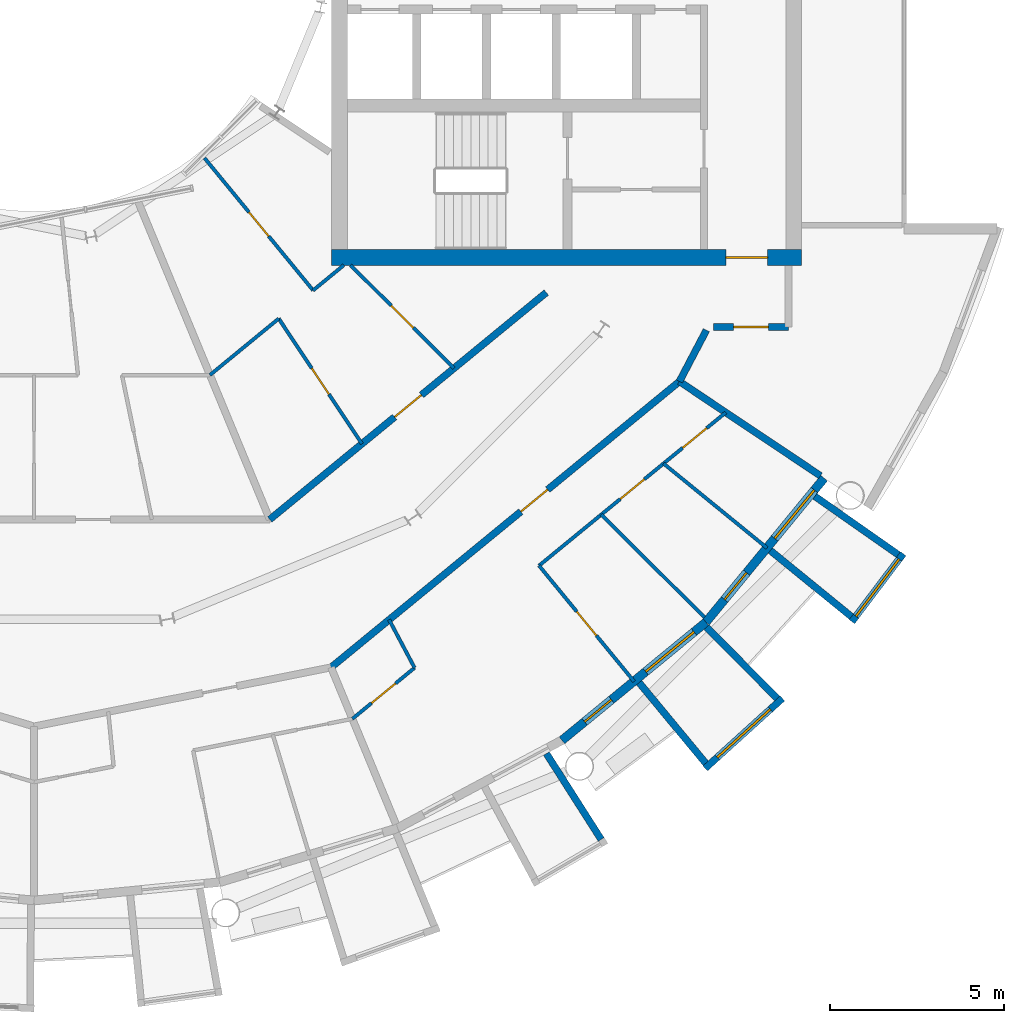
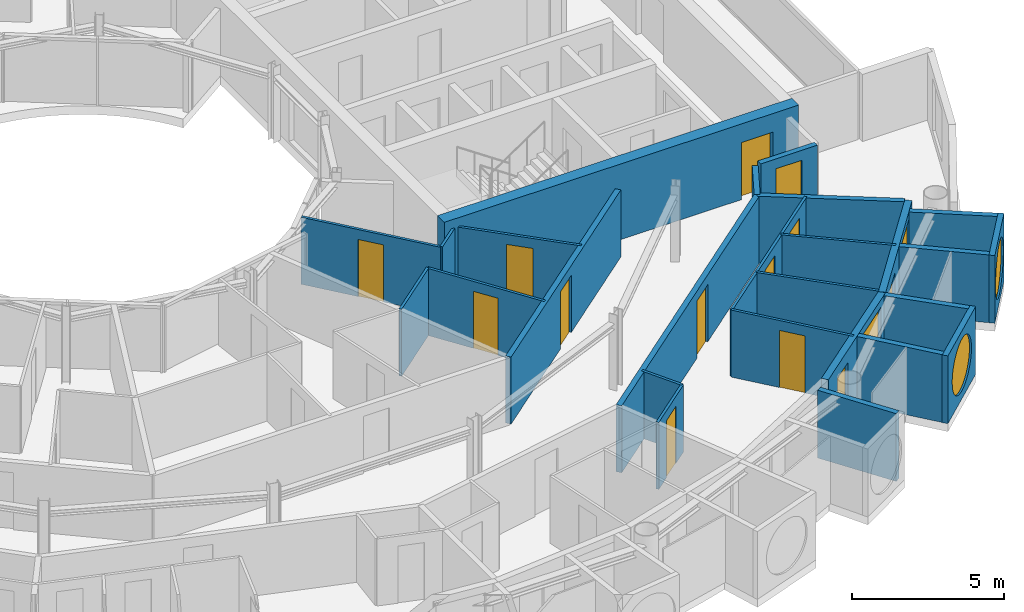
# One storey, part 18 of 28: 26 walls, 13 doors, 4 windows, 17 openings.
"""IFC4 building model written with IfcOpenShell, lengths in metres."""

from ifc_helpers import new_model, si_unit, direction, frame, frame_2d, origin, place, context, subcontext, project, spatial, rectangle, circle, extrude, material, layer, layer_set, type_object, element, fill, save


model = new_model("IFC4")

# Units and contexts
model_context = context("Model", 3, precision=1e-05, world=origin(), true_north=direction((0.0, 1.0)))
body_context = subcontext(model_context, "Body", "Model", "MODEL_VIEW")
ifc_project = project(units=[si_unit("LENGTHUNIT", "METRE"), si_unit("AREAUNIT", "SQUARE_METRE"), si_unit("VOLUMEUNIT", "CUBIC_METRE"), si_unit("PLANEANGLEUNIT", "RADIAN"), si_unit("MASSUNIT", "GRAM", prefix="KILO")], contexts=[model_context])

# Site, building, storey
site_placement = place(None, origin())
site = spatial("IfcSite", under=ifc_project, at=site_placement, CompositionType="ELEMENT")
building_placement = place(site_placement, origin())
building = spatial("IfcBuilding", under=site, at=building_placement, Name="Maasbend Ring Residences", CompositionType="ELEMENT")
storey_placement = place(building_placement, frame((0.0, 0.0, 196.300048828125)))
storey = spatial("IfcBuildingStorey", under=building, at=storey_placement, Name="L56", CompositionType="ELEMENT", Elevation=196.300048828125)

# Wall, opening, door
ifc_material_1 = material(Name="Concrete C50/60", Category="concrete")
ifc_layer_1 = layer(ifc_material_1, 0.449951171875)
ifc_layer_set_1 = layer_set([ifc_layer_1], Name="Concrete C50/60")
wall_type_1 = type_object("IfcWallType", Name="CORE WALL 450 C50/60", PredefinedType="SHEAR", material=ifc_layer_set_1)
wall_1_placement = place(storey_placement, frame((8.550048828125, -8.824951171875, 0.0), z_axis=(0.0, 0.0, 1.0), x_axis=(1.0, 0.0, 0.0)))
wall_1 = element("IfcWall", 1, at=wall_1_placement, inside=storey, type_object=wall_type_1, Name="L56 core E wall PS", PredefinedType="SHEAR", context=body_context, shape_type="SweptSolid", body=[
    extrude(rectangle(XDim=13.5, YDim=0.449951171875, at=frame_2d((6.75, 0.0))), origin(), (0.0, 0.0, 1.0), 3.050048828125),
])
opening_1_placement = place(wall_1_placement, frame((11.324951171875, 0.0, 0.0)))
opening_1 = element("IfcOpeningElement", 2, at=opening_1_placement, cuts=wall_1, Name="Opening D-E5616", PredefinedType="OPENING", context=body_context, shape_type="SweptSolid", body=[
    extrude(rectangle(XDim=1.199951171875, YDim=2.300048828125, at=frame_2d((0.60009765625, 1.14990234375))), frame((0.0, 0.23486328125, 0.0), z_axis=(0.0, -1.0, 0.0), x_axis=(1.0, 0.0, 0.0)), (0.0, 0.0, 1.0), 0.469970703125),
])
ifc_material_2 = material(Name="Steel, powder coated", Category="steel")
door_type_1 = type_object("IfcDoorType", Name="CORRIDOR DOOR 1200 X 2300 FD30S", OperationType="NOTDEFINED", PredefinedType="DOOR", material=ifc_material_2)
door_1_placement = place(opening_1_placement, origin())
door_1 = element("IfcDoor", 3, at=door_1_placement, inside=storey, type_object=door_type_1, Name="Corridor door L56", OperationType="SINGLE_SWING_LEFT", OverallHeight=2.300048828125, OverallWidth=1.199951171875, PredefinedType="DOOR", context=body_context, shape_type="SweptSolid", body=[
    extrude(rectangle(XDim=1.199951171875, YDim=2.300048828125, at=frame_2d((0.60009765625, 1.14990234375))), frame((0.0, 0.02490234375, 0.0), z_axis=(0.0, -1.0, 0.0), x_axis=(1.0, 0.0, 0.0)), (0.0, 0.0, 1.0), 0.050048828125),
])
fill(opening_1, door_1)

# Wall
ifc_material_3 = material(Name="Concrete C30/37", Category="concrete")
ifc_layer_2 = layer(ifc_material_3, 0.199951171875)
ifc_layer_set_2 = layer_set([ifc_layer_2], Name="Concrete C30/37")
wall_type_2 = type_object("IfcWallType", Name="CORRIDOR WALL 200 CONCRETE", PredefinedType="PARTITIONING", material=ifc_layer_set_2)
wall_2_placement = place(storey_placement, frame((18.5419921875, -12.388916015625, 0.0), z_axis=(0.0, 0.0, 1.0), x_axis=(0.465359652486, 0.885121683068, 0.0)))
element("IfcWall", 4, at=wall_2_placement, inside=storey, type_object=wall_type_2, Name="U-L56-w010", PredefinedType="PARTITIONING", context=body_context, shape_type="SweptSolid", body=[
    extrude(rectangle(XDim=1.665283203125, YDim=0.199951171875, at=frame_2d((0.83251953125, 0.0))), origin(), (0.0, 0.0, 1.0), 2.699951171875),
])

# Wall, opening, door
wall_3_placement = place(storey_placement, frame((8.533935546875, -20.60302734375, 0.0), z_axis=(0.0, 0.0, 1.0), x_axis=(0.772983503654, 0.634426121056, 0.0)))
wall_3 = element("IfcWall", 5, at=wall_3_placement, inside=storey, type_object=wall_type_2, Name="U-L56-w016", PredefinedType="PARTITIONING", context=body_context, shape_type="SweptSolid", body=[
    extrude(rectangle(XDim=12.947265625, YDim=0.199951171875, at=frame_2d((6.4736328125, 0.0))), origin(), (0.0, 0.0, 1.0), 2.699951171875),
])
opening_2_placement = place(wall_3_placement, frame((7.052978515625, 0.0, 0.0)))
opening_2 = element("IfcOpeningElement", 6, at=opening_2_placement, cuts=wall_3, Name="Opening D-5644", PredefinedType="OPENING", context=body_context, shape_type="SweptSolid", body=[
    extrude(rectangle(XDim=1.0, YDim=2.300048828125, at=frame_2d((0.5, 1.14990234375))), frame((0.0, 0.10986328125, 0.0), z_axis=(0.0, -1.0, 0.0), x_axis=(1.0, 0.0, 0.0)), (0.0, 0.0, 1.0), 0.219970703125),
])
ifc_material_4 = material(Name="Timber, fire-rated, painted", Category="wood")
door_type_2 = type_object("IfcDoorType", Name="FLAT ENTRANCE DOOR 1000 X 2300 FIRE-RATED", OperationType="NOTDEFINED", PredefinedType="DOOR", material=ifc_material_4)
door_2_placement = place(opening_2_placement, origin())
door_2 = element("IfcDoor", 7, at=door_2_placement, inside=storey, type_object=door_type_2, Name="D-5644", OperationType="SINGLE_SWING_RIGHT", OverallHeight=2.300048828125, OverallWidth=1.0, PredefinedType="DOOR", context=body_context, shape_type="SweptSolid", body=[
    extrude(rectangle(XDim=1.0, YDim=2.300048828125, at=frame_2d((0.5, 1.14990234375))), frame((0.0, 0.02490234375, 0.0), z_axis=(0.0, -1.0, 0.0), x_axis=(1.0, 0.0, 0.0)), (0.0, 0.0, 1.0), 0.050048828125),
])
fill(opening_2, door_2)

wall_4_placement = place(storey_placement, frame((6.77294921875, -16.35302734375, 0.0), z_axis=(0.0, 0.0, 1.0), x_axis=(0.773034536097, 0.634363938131, 0.0)))
wall_4 = element("IfcWall", 8, at=wall_4_placement, inside=storey, type_object=wall_type_2, Name="U-L56-w018", PredefinedType="PARTITIONING", context=body_context, shape_type="SweptSolid", body=[
    extrude(rectangle(XDim=10.276611328125, YDim=0.199951171875, at=frame_2d((5.13818359375, 0.0))), origin(), (0.0, 0.0, 1.0), 2.699951171875),
])
opening_3_placement = place(wall_4_placement, frame((4.637939453125, 0.0, 0.0)))
opening_3 = element("IfcOpeningElement", 9, at=opening_3_placement, cuts=wall_4, Name="Opening D-5657", PredefinedType="OPENING", context=body_context, shape_type="SweptSolid", body=[
    extrude(rectangle(XDim=1.0, YDim=2.300048828125, at=frame_2d((0.5, 1.14990234375))), frame((0.0, 0.10986328125, 0.0), z_axis=(0.0, -1.0, 0.0), x_axis=(1.0, 0.0, 0.0)), (0.0, 0.0, 1.0), 0.219970703125),
])
door_3_placement = place(opening_3_placement, origin())
door_3 = element("IfcDoor", 10, at=door_3_placement, inside=storey, type_object=door_type_2, Name="D-5657", OperationType="SINGLE_SWING_RIGHT", OverallHeight=2.300048828125, OverallWidth=1.0, PredefinedType="DOOR", context=body_context, shape_type="SweptSolid", body=[
    extrude(rectangle(XDim=1.0, YDim=2.300048828125, at=frame_2d((0.5, 1.14990234375))), frame((0.0, 0.02490234375, 0.0), z_axis=(0.0, -1.0, 0.0), x_axis=(1.0, 0.0, 0.0)), (0.0, 0.0, 1.0), 0.050048828125),
])
fill(opening_3, door_3)

wall_5_placement = place(storey_placement, frame((19.52294921875, -10.824951171875, 0.0), z_axis=(0.0, 0.0, 1.0), x_axis=(1.0, 0.0, 0.0)))
wall_5 = element("IfcWall", 11, at=wall_5_placement, inside=storey, type_object=wall_type_2, Name="U-L56-w027", PredefinedType="PARTITIONING", context=body_context, shape_type="SweptSolid", body=[
    extrude(rectangle(XDim=2.152099609375, YDim=0.199951171875, at=frame_2d((1.076171875, 0.0))), origin(), (0.0, 0.0, 1.0), 2.699951171875),
])
opening_4_placement = place(wall_5_placement, frame((0.575927734375, 0.0, 0.0)))
opening_4 = element("IfcOpeningElement", 12, at=opening_4_placement, cuts=wall_5, Name="Opening D-5663", PredefinedType="OPENING", context=body_context, shape_type="SweptSolid", body=[
    extrude(rectangle(XDim=1.0, YDim=2.300048828125, at=frame_2d((0.5, 1.14990234375))), frame((0.0, 0.10986328125, 0.0), z_axis=(0.0, -1.0, 0.0), x_axis=(1.0, 0.0, 0.0)), (0.0, 0.0, 1.0), 0.219970703125),
])
ifc_material_5 = material(Name="Timber, painted", Category="wood")
door_type_3 = type_object("IfcDoorType", Name="ROOM DOOR 1000 X 2300", OperationType="NOTDEFINED", PredefinedType="DOOR", material=ifc_material_5)
door_4_placement = place(opening_4_placement, origin())
door_4 = element("IfcDoor", 13, at=door_4_placement, inside=storey, type_object=door_type_3, Name="D-5663", OperationType="SINGLE_SWING_LEFT", OverallHeight=2.300048828125, OverallWidth=1.0, PredefinedType="DOOR", context=body_context, shape_type="SweptSolid", body=[
    extrude(rectangle(XDim=1.0, YDim=2.300048828125, at=frame_2d((0.5, 1.14990234375))), frame((0.0, 0.02490234375, 0.0), z_axis=(0.0, -1.0, 0.0), x_axis=(1.0, 0.0, 0.0)), (0.0, 0.0, 1.0), 0.050048828125),
])
fill(opening_4, door_4)

# Wall
ifc_material_6 = material(Name="Pale anodised aluminium panel", Category="aluminium")
ifc_layer_3 = layer(ifc_material_6, 0.199951171875)
ifc_layer_set_3 = layer_set([ifc_layer_3], Name="EW-BOX")
wall_type_3 = type_object("IfcWallType", Name="EW-BOX", PredefinedType="SOLIDWALL", material=ifc_layer_set_3)
wall_6_placement = place(storey_placement, frame((14.721923828125, -23.0791015625, -0.030029296875), z_axis=(0.0, 0.0, 1.0), x_axis=(0.537572179146, -0.843217737129, 0.0)))
element("IfcWall", 14, at=wall_6_placement, inside=storey, type_object=wall_type_3, Name="Box side wall S16 right", PredefinedType="SOLIDWALL", context=body_context, shape_type="SweptSolid", body=[
    extrude(rectangle(XDim=2.92431640625, YDim=0.199951171875, at=frame_2d((1.462158203125, 0.0))), origin(), (0.0, 0.0, 1.0), 2.72998046875),
])

# Wall, opening, window
wall_7_placement = place(storey_placement, frame((19.281982421875, -23.5029296875, -0.030029296875), z_axis=(0.0, 0.0, 1.0), x_axis=(0.740998365753, 0.671506829416, 0.0)))
wall_7 = element("IfcWall", 15, at=wall_7_placement, inside=storey, type_object=wall_type_3, Name="Box front S18", PredefinedType="SOLIDWALL", context=body_context, shape_type="SweptSolid", body=[
    extrude(rectangle(XDim=2.9931640625, YDim=0.199951171875, at=frame_2d((1.49658203125, 0.0))), origin(), (0.0, 0.0, 1.0), 2.72998046875),
])
opening_5_placement = place(wall_7_placement, frame((0.45654296875, 0.0, 0.330078125)))
opening_5 = element("IfcOpeningElement", 16, at=opening_5_placement, cuts=wall_7, Name="Opening W-RD", PredefinedType="OPENING", context=body_context, shape_type="SweptSolid", body=[
    extrude(circle(Radius=1.0400390625, at=frame_2d((1.0400390625, 1.0400390625))), frame((0.0, 0.10986328125, 0.0), z_axis=(0.0, -1.0, 0.0), x_axis=(1.0, 0.0, 0.0)), (0.0, 0.0, 1.0), 0.219970703125),
])
ifc_material_7 = material(Name="Aluminium and clear glass", Category="aluminium")
window_type_1 = type_object("IfcWindowType", Name="W-RD", PartitioningType="SINGLE_PANEL", PredefinedType="WINDOW", material=ifc_material_7)
window_1_placement = place(opening_5_placement, origin())
window_1 = element("IfcWindow", 17, at=window_1_placement, inside=storey, type_object=window_type_1, Name="Round window S18", OverallHeight=2.080078125, OverallWidth=2.080078125, PartitioningType="SINGLE_PANEL", PredefinedType="WINDOW", context=body_context, shape_type="SweptSolid", body=[
    extrude(circle(Radius=1.0400390625, at=frame_2d((1.0400390625, 1.0400390625))), frame((0.0, 0.030029296875, 0.0), z_axis=(0.0, -1.0, 0.0), x_axis=(1.0, 0.0, 0.0)), (0.0, 0.0, 1.0), 0.06005859375),
])
fill(opening_5, window_1)

# Walls
wall_8_placement = place(storey_placement, frame((17.384033203125, -21.041015625, -0.030029296875), z_axis=(0.0, 0.0, 1.0), x_axis=(0.63709551667, -0.770784861449, 0.0)))
element("IfcWall", 18, at=wall_8_placement, inside=storey, type_object=wall_type_3, Name="Box side wall S18 left", PredefinedType="SOLIDWALL", context=body_context, shape_type="SweptSolid", body=[
    extrude(rectangle(XDim=3.005859375, YDim=0.199951171875, at=frame_2d((1.5029296875, 0.0))), origin(), (0.0, 0.0, 1.0), 2.72998046875),
])
wall_9_placement = place(storey_placement, frame((19.322998046875, -19.449951171875, -0.030029296875), z_axis=(0.0, 0.0, 1.0), x_axis=(0.704476739375, -0.709727076896, 0.0)))
element("IfcWall", 19, at=wall_9_placement, inside=storey, type_object=wall_type_3, Name="Box side wall S18 right", PredefinedType="SOLIDWALL", context=body_context, shape_type="SweptSolid", body=[
    extrude(rectangle(XDim=2.883056640625, YDim=0.199951171875, at=frame_2d((1.44140625, 0.0))), origin(), (0.0, 0.0, 1.0), 2.72998046875),
])

# Wall, opening, window
wall_10_placement = place(storey_placement, frame((23.4970703125, -19.2890625, -0.030029296875), z_axis=(0.0, 0.0, 1.0), x_axis=(0.602806268067, 0.797887588059, 0.0)))
wall_10 = element("IfcWall", 20, at=wall_10_placement, inside=storey, type_object=wall_type_3, Name="Box front S20", PredefinedType="SOLIDWALL", context=body_context, shape_type="SweptSolid", body=[
    extrude(rectangle(XDim=2.446533203125, YDim=0.199951171875, at=frame_2d((1.22314453125, 0.0))), origin(), (0.0, 0.0, 1.0), 2.72998046875),
])
opening_6_placement = place(wall_10_placement, frame((0.182861328125, 0.0, 0.330078125)))
opening_6 = element("IfcOpeningElement", 21, at=opening_6_placement, cuts=wall_10, Name="Opening W-RD", PredefinedType="OPENING", context=body_context, shape_type="SweptSolid", body=[
    extrude(circle(Radius=1.0400390625, at=frame_2d((1.0400390625, 1.0400390625))), frame((0.0, 0.10986328125, 0.0), z_axis=(0.0, -1.0, 0.0), x_axis=(1.0, 0.0, 0.0)), (0.0, 0.0, 1.0), 0.219970703125),
])
window_2_placement = place(opening_6_placement, origin())
window_2 = element("IfcWindow", 22, at=window_2_placement, inside=storey, type_object=window_type_1, Name="Round window S20", OverallHeight=2.080078125, OverallWidth=2.080078125, PartitioningType="SINGLE_PANEL", PredefinedType="WINDOW", context=body_context, shape_type="SweptSolid", body=[
    extrude(circle(Radius=1.0400390625, at=frame_2d((1.0400390625, 1.0400390625))), frame((0.0, 0.030029296875, 0.0), z_axis=(0.0, -1.0, 0.0), x_axis=(1.0, 0.0, 0.0)), (0.0, 0.0, 1.0), 0.06005859375),
])
fill(opening_6, window_2)

# Walls
wall_11_placement = place(storey_placement, frame((21.155029296875, -17.24609375, -0.030029296875), z_axis=(0.0, 0.0, 1.0), x_axis=(0.775179004516, -0.631741648902, 0.0)))
element("IfcWall", 23, at=wall_11_placement, inside=storey, type_object=wall_type_3, Name="Box side wall S20 left", PredefinedType="SOLIDWALL", context=body_context, shape_type="SweptSolid", body=[
    extrude(rectangle(XDim=3.005859375, YDim=0.199951171875, at=frame_2d((1.5029296875, 0.0))), origin(), (0.0, 0.0, 1.0), 2.72998046875),
])
wall_12_placement = place(storey_placement, frame((22.43310546875, -15.68798828125, -0.030029296875), z_axis=(0.0, 0.0, 1.0), x_axis=(0.819373043115, -0.573260687834, 0.0)))
element("IfcWall", 24, at=wall_12_placement, inside=storey, type_object=wall_type_3, Name="Box side wall S20 right", PredefinedType="SOLIDWALL", context=body_context, shape_type="SweptSolid", body=[
    extrude(rectangle(XDim=2.92529296875, YDim=0.199951171875, at=frame_2d((1.462646484375, 0.0))), origin(), (0.0, 0.0, 1.0), 2.72998046875),
])

# Wall, openings, door, window
ifc_material_8 = material(Name="Aluminium clad insulated panel", Category="aluminium")
ifc_layer_4 = layer(ifc_material_8, 0.25)
ifc_layer_set_4 = layer_set([ifc_layer_4], Name="EW-GL")
wall_type_4 = type_object("IfcWallType", Name="EW-GL", PredefinedType="SOLIDWALL", material=ifc_layer_set_4)
wall_13_placement = place(storey_placement, frame((15.1669921875, -22.698974609375, 0.0), z_axis=(0.0, 0.0, 1.0), x_axis=(0.773019449054, 0.634382322723, 0.0)))
wall_13 = element("IfcWall", 25, at=wall_13_placement, inside=storey, type_object=wall_type_4, Name="External wall S09", PredefinedType="SOLIDWALL", context=body_context, shape_type="SweptSolid", body=[
    extrude(rectangle(XDim=5.351806640625, YDim=0.25, at=frame_2d((2.67578125, 0.0))), origin(), (0.0, 0.0, 1.0), 2.699951171875),
])
opening_7_placement = place(wall_13_placement, frame((0.841064453125, 0.0, 0.0)))
opening_7 = element("IfcOpeningElement", 26, at=opening_7_placement, cuts=wall_13, Name="Opening D-LG", PredefinedType="OPENING", context=body_context, shape_type="SweptSolid", body=[
    extrude(rectangle(XDim=1.0, YDim=2.199951171875, at=frame_2d((0.5, 1.10009765625))), frame((0.0, 0.135009765625, 0.0), z_axis=(0.0, -1.0, 0.0), x_axis=(1.0, 0.0, 0.0)), (0.0, 0.0, 1.0), 0.27001953125),
])
opening_8_placement = place(wall_13_placement, frame((3.110595703125, 0.0, 0.300048828125)))
opening_8 = element("IfcOpeningElement", 27, at=opening_8_placement, cuts=wall_13, Name="Opening W-BX", PredefinedType="OPENING", context=body_context, shape_type="SweptSolid", body=[
    extrude(rectangle(XDim=1.800048828125, YDim=2.10009765625, at=frame_2d((0.89990234375, 1.050048828125))), frame((0.0, 0.135009765625, 0.0), z_axis=(0.0, -1.0, 0.0), x_axis=(1.0, 0.0, 0.0)), (0.0, 0.0, 1.0), 0.27001953125),
])
ifc_material_9 = material(Name="Aluminium and clear glass", Category="aluminium")
door_type_4 = type_object("IfcDoorType", Name="D-LG", OperationType="SINGLE_SWING_LEFT", PredefinedType="DOOR", material=ifc_material_9)
door_5_placement = place(opening_7_placement, origin())
door_5 = element("IfcDoor", 28, at=door_5_placement, inside=storey, type_object=door_type_4, Name="Loggia door S17", OperationType="SINGLE_SWING_LEFT", OverallHeight=2.199951171875, OverallWidth=1.0, PredefinedType="DOOR", context=body_context, shape_type="SweptSolid", body=[
    extrude(rectangle(XDim=1.0, YDim=2.199951171875, at=frame_2d((0.5, 1.10009765625))), frame((0.0, 0.02490234375, 0.0), z_axis=(0.0, -1.0, 0.0), x_axis=(1.0, 0.0, 0.0)), (0.0, 0.0, 1.0), 0.050048828125),
])
fill(opening_7, door_5)
ifc_material_10 = material(Name="Aluminium and clear glass", Category="aluminium")
window_type_2 = type_object("IfcWindowType", Name="W-BX", PartitioningType="DOUBLE_PANEL_VERTICAL", PredefinedType="WINDOW", material=ifc_material_10)
window_3_placement = place(opening_8_placement, origin())
window_3 = element("IfcWindow", 29, at=window_3_placement, inside=storey, type_object=window_type_2, Name="Window S18 room to box", OverallHeight=2.10009765625, OverallWidth=1.800048828125, PartitioningType="SINGLE_PANEL", PredefinedType="WINDOW", context=body_context, shape_type="SweptSolid", body=[
    extrude(rectangle(XDim=1.800048828125, YDim=2.10009765625, at=frame_2d((0.89990234375, 1.050048828125))), frame((0.0, 0.030029296875, 0.0), z_axis=(0.0, -1.0, 0.0), x_axis=(1.0, 0.0, 0.0)), (0.0, 0.0, 1.0), 0.06005859375),
])
fill(opening_8, window_3)

wall_14_placement = place(storey_placement, frame((19.303955078125, -19.303955078125, 0.0), z_axis=(0.0, 0.0, 1.0), x_axis=(0.634382322723, 0.773019449054, 0.0)))
wall_14 = element("IfcWall", 30, at=wall_14_placement, inside=storey, type_object=wall_type_4, Name="External wall S10", PredefinedType="SOLIDWALL", context=body_context, shape_type="SweptSolid", body=[
    extrude(rectangle(XDim=5.351806640625, YDim=0.25, at=frame_2d((2.67578125, 0.0))), origin(), (0.0, 0.0, 1.0), 2.699951171875),
])
opening_9_placement = place(wall_14_placement, frame((0.841064453125, 0.0, 0.0)))
opening_9 = element("IfcOpeningElement", 31, at=opening_9_placement, cuts=wall_14, Name="Opening D-LG", PredefinedType="OPENING", context=body_context, shape_type="SweptSolid", body=[
    extrude(rectangle(XDim=1.0, YDim=2.199951171875, at=frame_2d((0.5, 1.10009765625))), frame((0.0, 0.135009765625, 0.0), z_axis=(0.0, -1.0, 0.0), x_axis=(1.0, 0.0, 0.0)), (0.0, 0.0, 1.0), 0.27001953125),
])
opening_10_placement = place(wall_14_placement, frame((3.110595703125, 0.0, 0.300048828125)))
opening_10 = element("IfcOpeningElement", 32, at=opening_10_placement, cuts=wall_14, Name="Opening W-BX", PredefinedType="OPENING", context=body_context, shape_type="SweptSolid", body=[
    extrude(rectangle(XDim=1.800048828125, YDim=2.10009765625, at=frame_2d((0.89990234375, 1.050048828125))), frame((0.0, 0.135009765625, 0.0), z_axis=(0.0, -1.0, 0.0), x_axis=(1.0, 0.0, 0.0)), (0.0, 0.0, 1.0), 0.27001953125),
])
door_6_placement = place(opening_9_placement, origin())
door_6 = element("IfcDoor", 33, at=door_6_placement, inside=storey, type_object=door_type_4, Name="Loggia door S19", OperationType="SINGLE_SWING_LEFT", OverallHeight=2.199951171875, OverallWidth=1.0, PredefinedType="DOOR", context=body_context, shape_type="SweptSolid", body=[
    extrude(rectangle(XDim=1.0, YDim=2.199951171875, at=frame_2d((0.5, 1.10009765625))), frame((0.0, 0.02490234375, 0.0), z_axis=(0.0, -1.0, 0.0), x_axis=(1.0, 0.0, 0.0)), (0.0, 0.0, 1.0), 0.050048828125),
])
fill(opening_9, door_6)
window_4_placement = place(opening_10_placement, origin())
window_4 = element("IfcWindow", 34, at=window_4_placement, inside=storey, type_object=window_type_2, Name="Window S20 room to box", OverallHeight=2.10009765625, OverallWidth=1.800048828125, PartitioningType="SINGLE_PANEL", PredefinedType="WINDOW", context=body_context, shape_type="SweptSolid", body=[
    extrude(rectangle(XDim=1.800048828125, YDim=2.10009765625, at=frame_2d((0.89990234375, 1.050048828125))), frame((0.0, 0.030029296875, 0.0), z_axis=(0.0, -1.0, 0.0), x_axis=(1.0, 0.0, 0.0)), (0.0, 0.0, 1.0), 0.06005859375),
])
fill(opening_10, window_4)

# Wall, opening, door
ifc_material_11 = material(Name="Gypsum board on steel studs", Category="steel")
ifc_layer_5 = layer(ifc_material_11, 0.10009765625)
ifc_layer_set_5 = layer_set([ifc_layer_5], Name="PARTITION 100 GYPSUM")
wall_type_5 = type_object("IfcWallType", Name="PARTITION 100 GYPSUM", PredefinedType="PARTITIONING", material=ifc_layer_set_5)
wall_15_placement = place(storey_placement, frame((9.14599609375, -22.0810546875, 0.0), z_axis=(0.0, 0.0, 1.0), x_axis=(0.773095932958, 0.634289112663, 0.0)))
wall_15 = element("IfcWall", 35, at=wall_15_placement, inside=storey, type_object=wall_type_5, Name="U-L56-w007", PredefinedType="PARTITIONING", context=body_context, shape_type="SweptSolid", body=[
    extrude(rectangle(XDim=2.31298828125, YDim=0.10009765625, at=frame_2d((1.156494140625, 0.0))), origin(), (0.0, 0.0, 1.0), 2.699951171875),
])
opening_11_placement = place(wall_15_placement, frame((0.7060546875, 0.0, 0.0)))
opening_11 = element("IfcOpeningElement", 36, at=opening_11_placement, cuts=wall_15, Name="Opening D-5645", PredefinedType="OPENING", context=body_context, shape_type="SweptSolid", body=[
    extrude(rectangle(XDim=0.89990234375, YDim=2.300048828125, at=frame_2d((0.449951171875, 1.14990234375))), frame((0.0, 0.06005859375, 0.0), z_axis=(0.0, -1.0, 0.0), x_axis=(1.0, 0.0, 0.0)), (0.0, 0.0, 1.0), 0.1201171875),
])
ifc_material_12 = material(Name="Timber, painted", Category="wood")
door_type_5 = type_object("IfcDoorType", Name="INTERNAL DOOR 900 X 2300", OperationType="NOTDEFINED", PredefinedType="DOOR", material=ifc_material_12)
door_7_placement = place(opening_11_placement, origin())
door_7 = element("IfcDoor", 37, at=door_7_placement, inside=storey, type_object=door_type_5, Name="D-5645", OperationType="SINGLE_SWING_LEFT", OverallHeight=2.300048828125, OverallWidth=0.89990234375, PredefinedType="DOOR", context=body_context, shape_type="SweptSolid", body=[
    extrude(rectangle(XDim=0.89990234375, YDim=2.300048828125, at=frame_2d((0.449951171875, 1.14990234375))), frame((0.0, 0.02490234375, 0.0), z_axis=(0.0, -1.0, 0.0), x_axis=(1.0, 0.0, 0.0)), (0.0, 0.0, 1.0), 0.050048828125),
])
fill(opening_11, door_7)

# Wall, openings, doors
wall_16_placement = place(storey_placement, frame((14.508056640625, -17.680908203125, 0.0), z_axis=(0.0, 0.0, 1.0), x_axis=(0.773155647559, 0.634216323227, 0.0)))
wall_16 = element("IfcWall", 38, at=wall_16_placement, inside=storey, type_object=wall_type_5, Name="U-L56-w008", PredefinedType="PARTITIONING", context=body_context, shape_type="SweptSolid", body=[
    extrude(rectangle(XDim=6.93896484375, YDim=0.10009765625, at=frame_2d((3.469482421875, 0.0))), origin(), (0.0, 0.0, 1.0), 2.699951171875),
])
opening_12_placement = place(wall_16_placement, frame((3.01904296875, 0.0, 0.0)))
opening_12 = element("IfcOpeningElement", 39, at=opening_12_placement, cuts=wall_16, Name="Opening D-5647", PredefinedType="OPENING", context=body_context, shape_type="SweptSolid", body=[
    extrude(rectangle(XDim=0.89990234375, YDim=2.300048828125, at=frame_2d((0.449951171875, 1.14990234375))), frame((0.0, 0.06005859375, 0.0), z_axis=(0.0, -1.0, 0.0), x_axis=(1.0, 0.0, 0.0)), (0.0, 0.0, 1.0), 0.1201171875),
])
opening_13_placement = place(wall_16_placement, frame((5.333984375, 0.0, 0.0)))
opening_13 = element("IfcOpeningElement", 40, at=opening_13_placement, cuts=wall_16, Name="Opening D-5648", PredefinedType="OPENING", context=body_context, shape_type="SweptSolid", body=[
    extrude(rectangle(XDim=0.89990234375, YDim=2.300048828125, at=frame_2d((0.449951171875, 1.14990234375))), frame((0.0, 0.06005859375, 0.0), z_axis=(0.0, -1.0, 0.0), x_axis=(1.0, 0.0, 0.0)), (0.0, 0.0, 1.0), 0.1201171875),
])
door_8_placement = place(opening_12_placement, origin())
door_8 = element("IfcDoor", 41, at=door_8_placement, inside=storey, type_object=door_type_5, Name="D-5647", OperationType="SINGLE_SWING_LEFT", OverallHeight=2.300048828125, OverallWidth=0.89990234375, PredefinedType="DOOR", context=body_context, shape_type="SweptSolid", body=[
    extrude(rectangle(XDim=0.89990234375, YDim=2.300048828125, at=frame_2d((0.449951171875, 1.14990234375))), frame((0.0, 0.02490234375, 0.0), z_axis=(0.0, -1.0, 0.0), x_axis=(1.0, 0.0, 0.0)), (0.0, 0.0, 1.0), 0.050048828125),
])
fill(opening_12, door_8)
door_9_placement = place(opening_13_placement, origin())
door_9 = element("IfcDoor", 42, at=door_9_placement, inside=storey, type_object=door_type_5, Name="D-5648", OperationType="SINGLE_SWING_RIGHT", OverallHeight=2.300048828125, OverallWidth=0.89990234375, PredefinedType="DOOR", context=body_context, shape_type="SweptSolid", body=[
    extrude(rectangle(XDim=0.89990234375, YDim=2.300048828125, at=frame_2d((0.449951171875, 1.14990234375))), frame((0.0, 0.02490234375, 0.0), z_axis=(0.0, -1.0, 0.0), x_axis=(1.0, 0.0, 0.0)), (0.0, 0.0, 1.0), 0.050048828125),
])
fill(opening_13, door_9)

# Walls
wall_17_placement = place(storey_placement, frame((5.054931640625, -12.2041015625, 0.0), z_axis=(0.0, 0.0, 1.0), x_axis=(0.772943675046, 0.634474645046, 0.0)))
element("IfcWall", 43, at=wall_17_placement, inside=storey, type_object=wall_type_5, Name="U-L56-w022", PredefinedType="PARTITIONING", context=body_context, shape_type="SweptSolid", body=[
    extrude(rectangle(XDim=2.556640625, YDim=0.10009765625, at=frame_2d((1.2783203125, 0.0))), origin(), (0.0, 0.0, 1.0), 2.699951171875),
])
wall_18_placement = place(storey_placement, frame((8.01708984375, -9.77294921875, 0.0), z_axis=(0.0, 0.0, 1.0), x_axis=(0.772786083133, 0.634666581534, 0.0)))
element("IfcWall", 44, at=wall_18_placement, inside=storey, type_object=wall_type_5, Name="U-L56-w023", PredefinedType="PARTITIONING", context=body_context, shape_type="SweptSolid", body=[
    extrude(rectangle(XDim=1.1435546875, YDim=0.10009765625, at=frame_2d((0.57177734375, 0.0))), origin(), (0.0, 0.0, 1.0), 2.699951171875),
])

# Wall, opening, door
wall_19_placement = place(storey_placement, frame((4.89794921875, -5.968017578125, 0.0), z_axis=(0.0, 0.0, 1.0), x_axis=(0.634401778971, -0.773003481776, 0.0)))
wall_19 = element("IfcWall", 45, at=wall_19_placement, inside=storey, type_object=wall_type_5, Name="U-L56-w071", PredefinedType="PARTITIONING", context=body_context, shape_type="SweptSolid", body=[
    extrude(rectangle(XDim=4.919677734375, YDim=0.10009765625, at=frame_2d((2.4599609375, 0.0))), origin(), (0.0, 0.0, 1.0), 2.699951171875),
])
opening_14_placement = place(wall_19_placement, frame((2.010009765625, 0.0, 0.0)))
opening_14 = element("IfcOpeningElement", 46, at=opening_14_placement, cuts=wall_19, Name="Opening D-5660", PredefinedType="OPENING", context=body_context, shape_type="SweptSolid", body=[
    extrude(rectangle(XDim=0.89990234375, YDim=2.300048828125, at=frame_2d((0.449951171875, 1.14990234375))), frame((0.0, 0.06005859375, 0.0), z_axis=(0.0, -1.0, 0.0), x_axis=(1.0, 0.0, 0.0)), (0.0, 0.0, 1.0), 0.1201171875),
])
door_10_placement = place(opening_14_placement, origin())
door_10 = element("IfcDoor", 47, at=door_10_placement, inside=storey, type_object=door_type_5, Name="D-5660", OperationType="SINGLE_SWING_RIGHT", OverallHeight=2.300048828125, OverallWidth=0.89990234375, PredefinedType="DOOR", context=body_context, shape_type="SweptSolid", body=[
    extrude(rectangle(XDim=0.89990234375, YDim=2.300048828125, at=frame_2d((0.449951171875, 1.14990234375))), frame((0.0, 0.02490234375, 0.0), z_axis=(0.0, -1.0, 0.0), x_axis=(1.0, 0.0, 0.0)), (0.0, 0.0, 1.0), 0.050048828125),
])
fill(opening_14, door_10)

wall_20_placement = place(storey_placement, frame((7.031005859375, -10.58203125, 0.0), z_axis=(0.0, 0.0, 1.0), x_axis=(0.553303732327, -0.832979579457, 0.0)))
wall_20 = element("IfcWall", 48, at=wall_20_placement, inside=storey, type_object=wall_type_5, Name="U-L56-w075", PredefinedType="PARTITIONING", context=body_context, shape_type="SweptSolid", body=[
    extrude(rectangle(XDim=4.3193359375, YDim=0.10009765625, at=frame_2d((2.15966796875, 0.0))), origin(), (0.0, 0.0, 1.0), 2.699951171875),
])
opening_15_placement = place(wall_20_placement, frame((1.7099609375, 0.0, 0.0)))
opening_15 = element("IfcOpeningElement", 49, at=opening_15_placement, cuts=wall_20, Name="Opening D-5658", PredefinedType="OPENING", context=body_context, shape_type="SweptSolid", body=[
    extrude(rectangle(XDim=0.89990234375, YDim=2.300048828125, at=frame_2d((0.449951171875, 1.14990234375))), frame((0.0, 0.06005859375, 0.0), z_axis=(0.0, -1.0, 0.0), x_axis=(1.0, 0.0, 0.0)), (0.0, 0.0, 1.0), 0.1201171875),
])
door_11_placement = place(opening_15_placement, origin())
door_11 = element("IfcDoor", 50, at=door_11_placement, inside=storey, type_object=door_type_5, Name="D-5658", OperationType="SINGLE_SWING_RIGHT", OverallHeight=2.300048828125, OverallWidth=0.89990234375, PredefinedType="DOOR", context=body_context, shape_type="SweptSolid", body=[
    extrude(rectangle(XDim=0.89990234375, YDim=2.300048828125, at=frame_2d((0.449951171875, 1.14990234375))), frame((0.0, 0.02490234375, 0.0), z_axis=(0.0, -1.0, 0.0), x_axis=(1.0, 0.0, 0.0)), (0.0, 0.0, 1.0), 0.050048828125),
])
fill(opening_15, door_11)

wall_21_placement = place(storey_placement, frame((9.096923828125, -9.050048828125, 0.0), z_axis=(0.0, 0.0, 1.0), x_axis=(0.708909651863, -0.705299302067, 0.0)))
wall_21 = element("IfcWall", 51, at=wall_21_placement, inside=storey, type_object=wall_type_5, Name="U-L56-w078", PredefinedType="PARTITIONING", context=body_context, shape_type="SweptSolid", body=[
    extrude(rectangle(XDim=4.192626953125, YDim=0.10009765625, at=frame_2d((2.09619140625, 0.0))), origin(), (0.0, 0.0, 1.0), 2.699951171875),
])
opening_16_placement = place(wall_21_placement, frame((1.64599609375, 0.0, 0.0)))
opening_16 = element("IfcOpeningElement", 52, at=opening_16_placement, cuts=wall_21, Name="Opening D-5659", PredefinedType="OPENING", context=body_context, shape_type="SweptSolid", body=[
    extrude(rectangle(XDim=0.89990234375, YDim=2.300048828125, at=frame_2d((0.449951171875, 1.14990234375))), frame((0.0, 0.06005859375, 0.0), z_axis=(0.0, -1.0, 0.0), x_axis=(1.0, 0.0, 0.0)), (0.0, 0.0, 1.0), 0.1201171875),
])
door_12_placement = place(opening_16_placement, origin())
door_12 = element("IfcDoor", 53, at=door_12_placement, inside=storey, type_object=door_type_5, Name="D-5659", OperationType="SINGLE_SWING_RIGHT", OverallHeight=2.300048828125, OverallWidth=0.89990234375, PredefinedType="DOOR", context=body_context, shape_type="SweptSolid", body=[
    extrude(rectangle(XDim=0.89990234375, YDim=2.300048828125, at=frame_2d((0.449951171875, 1.14990234375))), frame((0.0, 0.02490234375, 0.0), z_axis=(0.0, -1.0, 0.0), x_axis=(1.0, 0.0, 0.0)), (0.0, 0.0, 1.0), 0.050048828125),
])
fill(opening_16, door_12)

# Wall
wall_22_placement = place(storey_placement, frame((10.201904296875, -19.23388671875, 0.0), z_axis=(0.0, 0.0, 1.0), x_axis=(0.468648615763, -0.88338466986, 0.0)))
element("IfcWall", 54, at=wall_22_placement, inside=storey, type_object=wall_type_5, Name="U-L56-w079", PredefinedType="PARTITIONING", context=body_context, shape_type="SweptSolid", body=[
    extrude(rectangle(XDim=1.562255859375, YDim=0.10009765625, at=frame_2d((0.78125, 0.0))), origin(), (0.0, 0.0, 1.0), 2.699951171875),
])

# Wall, opening, door
wall_23_placement = place(storey_placement, frame((14.509033203125, -17.678955078125, 0.0), z_axis=(0.0, 0.0, 1.0), x_axis=(0.634342681687, -0.77305197897, 0.0)))
wall_23 = element("IfcWall", 55, at=wall_23_placement, inside=storey, type_object=wall_type_5, Name="U-L56-w082", PredefinedType="PARTITIONING", context=body_context, shape_type="SweptSolid", body=[
    extrude(rectangle(XDim=4.30517578125, YDim=0.10009765625, at=frame_2d((2.152587890625, 0.0))), origin(), (0.0, 0.0, 1.0), 2.699951171875),
])
opening_17_placement = place(wall_23_placement, frame((1.702880859375, 0.0, 0.0)))
opening_17 = element("IfcOpeningElement", 56, at=opening_17_placement, cuts=wall_23, Name="Opening D-5646", PredefinedType="OPENING", context=body_context, shape_type="SweptSolid", body=[
    extrude(rectangle(XDim=0.89990234375, YDim=2.300048828125, at=frame_2d((0.449951171875, 1.14990234375))), frame((0.0, 0.06005859375, 0.0), z_axis=(0.0, -1.0, 0.0), x_axis=(1.0, 0.0, 0.0)), (0.0, 0.0, 1.0), 0.1201171875),
])
door_13_placement = place(opening_17_placement, origin())
door_13 = element("IfcDoor", 57, at=door_13_placement, inside=storey, type_object=door_type_5, Name="D-5646", OperationType="SINGLE_SWING_RIGHT", OverallHeight=2.300048828125, OverallWidth=0.89990234375, PredefinedType="DOOR", context=body_context, shape_type="SweptSolid", body=[
    extrude(rectangle(XDim=0.89990234375, YDim=2.300048828125, at=frame_2d((0.449951171875, 1.14990234375))), frame((0.0, 0.02490234375, 0.0), z_axis=(0.0, -1.0, 0.0), x_axis=(1.0, 0.0, 0.0)), (0.0, 0.0, 1.0), 0.050048828125),
])
fill(opening_17, door_13)

# Walls
wall_24_placement = place(storey_placement, frame((16.2958984375, -16.212890625, 0.0), z_axis=(0.0, 0.0, 1.0), x_axis=(0.708999026534, -0.705209458511, 0.0)))
element("IfcWall", 58, at=wall_24_placement, inside=storey, type_object=wall_type_5, Name="U-L56-w084", PredefinedType="PARTITIONING", context=body_context, shape_type="SweptSolid", body=[
    extrude(rectangle(XDim=4.1875, YDim=0.10009765625, at=frame_2d((2.09375, 0.0))), origin(), (0.0, 0.0, 1.0), 2.699951171875),
])
wall_25_placement = place(storey_placement, frame((18.083984375, -14.7451171875, 0.0), z_axis=(0.0, 0.0, 1.0), x_axis=(0.77495020745, -0.632022290724, 0.0)))
element("IfcWall", 59, at=wall_25_placement, inside=storey, type_object=wall_type_5, Name="U-L56-w086", PredefinedType="PARTITIONING", context=body_context, shape_type="SweptSolid", body=[
    extrude(rectangle(XDim=3.841552734375, YDim=0.10009765625, at=frame_2d((1.9208984375, 0.0))), origin(), (0.0, 0.0, 1.0), 2.699951171875),
])
ifc_material_13 = material(Name="Concrete C30/37", Category="concrete")
ifc_layer_6 = layer(ifc_material_13, 0.199951171875)
ifc_layer_set_6 = layer_set([ifc_layer_6], Name="Concrete C30/37")
wall_type_6 = type_object("IfcWallType", Name="PARTY WALL 200 CONCRETE", PredefinedType="PARTITIONING", material=ifc_layer_set_6)
wall_26_placement = place(storey_placement, frame((18.5419921875, -12.388916015625, 0.0), z_axis=(0.0, 0.0, 1.0), x_axis=(0.831387096605, -0.55569370664, 0.0)))
element("IfcWall", 60, at=wall_26_placement, inside=storey, type_object=wall_type_6, Name="U-L56-w088", PredefinedType="PARTITIONING", context=body_context, shape_type="SweptSolid", body=[
    extrude(rectangle(XDim=4.875, YDim=0.199951171875, at=frame_2d((2.4375, 0.0))), origin(), (0.0, 0.0, 1.0), 2.699951171875),
])

save(model, "model.ifc")
